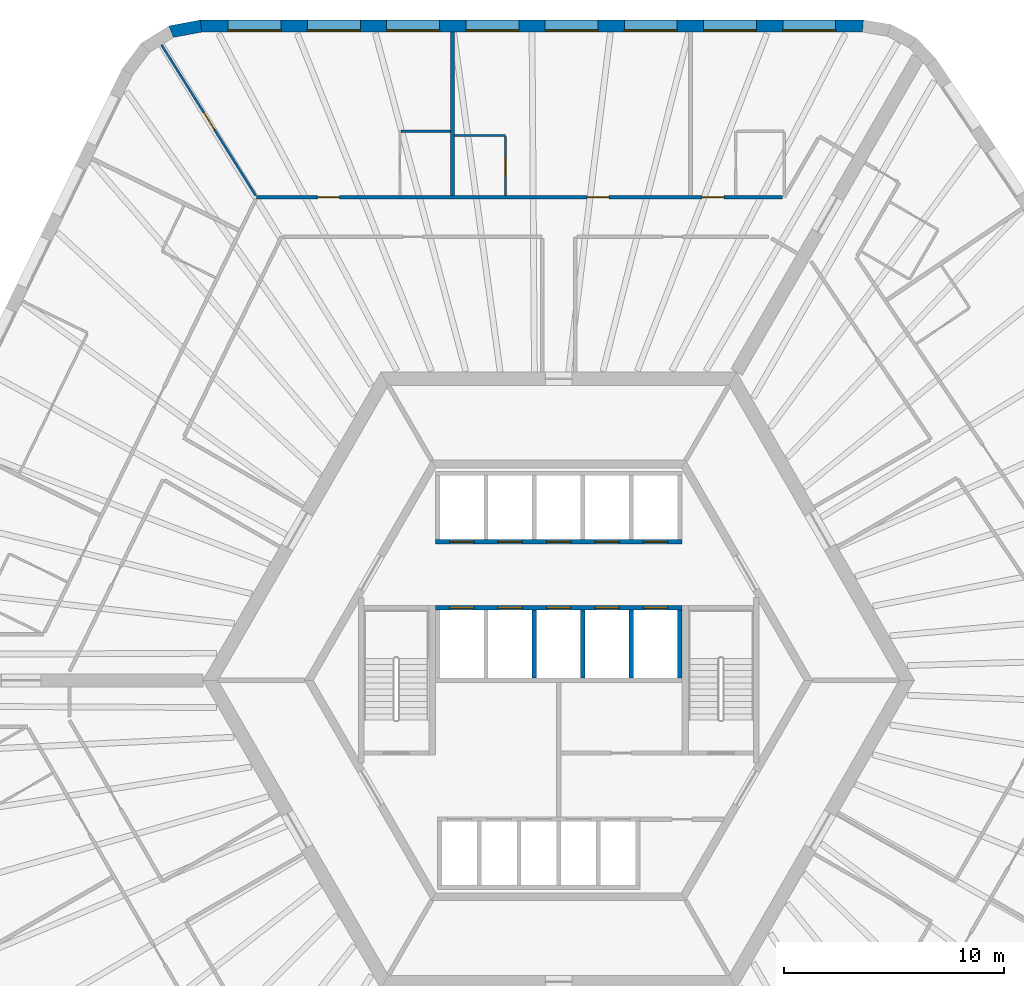
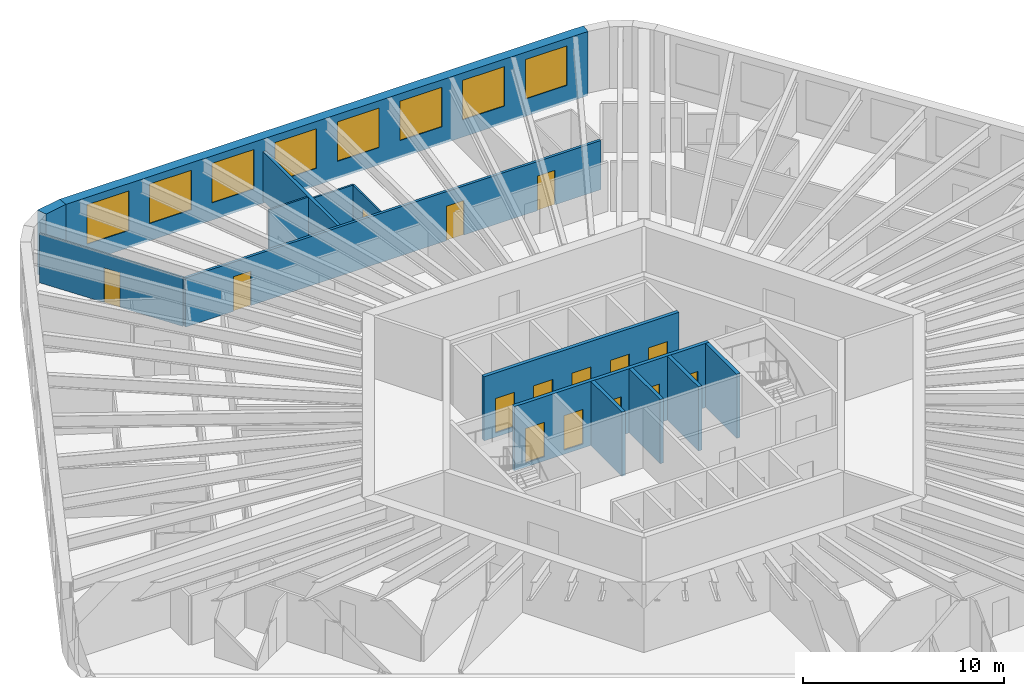
# One storey, part 8 of 11: 15 doors, 14 walls, 8 windows, 23 openings.
"""IFC4 building model written with IfcOpenShell, lengths in metres."""

from ifc_helpers import new_model, si_unit, direction, frame, frame_2d, origin, place, context, subcontext, project, spatial, polyline, rectangle, outline, extrude, material, layer, layer_set, type_object, element, fill, save


model = new_model("IFC4")

# Units and contexts
model_context = context("Model", 3, precision=1e-05, world=origin(), true_north=direction((0.0, 1.0)))
body_context = subcontext(model_context, "Body", "Model", "MODEL_VIEW")
ifc_project = project(units=[si_unit("LENGTHUNIT", "METRE"), si_unit("AREAUNIT", "SQUARE_METRE"), si_unit("VOLUMEUNIT", "CUBIC_METRE"), si_unit("PLANEANGLEUNIT", "RADIAN"), si_unit("MASSUNIT", "GRAM", prefix="KILO")], contexts=[model_context])

# Site, building, storey
site_placement = place(None, origin())
site = spatial("IfcSite", under=ifc_project, at=site_placement, CompositionType="ELEMENT")
building_placement = place(site_placement, origin())
building = spatial("IfcBuilding", under=site, at=building_placement, Name="Tarnside Tower", CompositionType="ELEMENT")
storey_placement = place(building_placement, frame((0.0, 0.0, 41.39990234375)))
storey = spatial("IfcBuildingStorey", under=building, at=storey_placement, Name="L07", CompositionType="ELEMENT", Elevation=41.39990234375)

# Wall
ifc_material_1 = material(Name="Gypsum board partition on steel studs", Category="steel")
ifc_layer_1 = layer(ifc_material_1, 0.10009765625)
ifc_layer_set_1 = layer_set([ifc_layer_1], Name="Bathroom wall 100")
wall_type_1 = type_object("IfcWallType", Name="Bathroom wall 100", PredefinedType="PARTITIONING", material=ifc_layer_set_1)
wall_1_placement = place(storey_placement, frame((-4.720947265625, 24.75, 0.0), z_axis=(0.0, 0.0, 1.0), x_axis=(1.0, 0.0, 0.0)))
element("IfcWall", 1, at=wall_1_placement, inside=storey, type_object=wall_type_1, Name="Bathroom wall 01081", PredefinedType="PARTITIONING", context=body_context, shape_type="SweptSolid", body=[
    extrude(rectangle(XDim=2.309814453125, YDim=0.10009765625, at=frame_2d((1.15478515625, 0.0))), origin(), (0.0, 0.0, 1.0), 2.98779296875),
])

# Wall, opening, door
wall_2_placement = place(storey_placement, frame((-2.4111328125, 24.699951171875, 0.0), z_axis=(0.0, 0.0, 1.0), x_axis=(0.0, -1.0, 0.0)))
wall_2 = element("IfcWall", 2, at=wall_2_placement, inside=storey, type_object=wall_type_1, Name="Bathroom wall 01082", PredefinedType="PARTITIONING", context=body_context, shape_type="SweptSolid", body=[
    extrude(rectangle(XDim=2.675048828125, YDim=0.10009765625, at=frame_2d((1.33740234375, 0.0))), origin(), (0.0, 0.0, 1.0), 2.98779296875),
])
opening_1_placement = place(wall_2_placement, frame((0.949951171875, 0.0, 0.0)))
opening_1 = element("IfcOpeningElement", 3, at=opening_1_placement, cuts=wall_2, Name="Opening D-B1", PredefinedType="OPENING", context=body_context, shape_type="SweptSolid", body=[
    extrude(rectangle(XDim=0.800048828125, YDim=2.10009765625, at=frame_2d((0.39990234375, 1.050048828125))), frame((0.0, 0.06005859375, 0.0), z_axis=(0.0, -1.0, 0.0), x_axis=(1.0, 0.0, 0.0)), (0.0, 0.0, 1.0), 0.1201171875),
])
ifc_material_2 = material(Name="Timber door leaf", Category="wood")
door_type_1 = type_object("IfcDoorType", Name="Bathroom door 800", OperationType="NOTDEFINED", PredefinedType="DOOR", material=ifc_material_2)
door_1_placement = place(opening_1_placement, origin())
door_1 = element("IfcDoor", 4, at=door_1_placement, inside=storey, type_object=door_type_1, Name="Bathroom door 01004", OperationType="SINGLE_SWING_RIGHT", OverallHeight=2.10009765625, OverallWidth=0.800048828125, PredefinedType="DOOR", context=body_context, shape_type="SweptSolid", body=[
    extrude(rectangle(XDim=0.800048828125, YDim=2.10009765625, at=frame_2d((0.39990234375, 1.050048828125))), frame((0.0, 0.02490234375, 0.0), z_axis=(0.0, -1.0, 0.0), x_axis=(1.0, 0.0, 0.0)), (0.0, 0.0, 1.0), 0.050048828125),
])
fill(opening_1, door_1)

# Wall
wall_3_placement = place(storey_placement, frame((-7.1611328125, 24.949951171875, 0.0), z_axis=(0.0, 0.0, 1.0), x_axis=(1.0, 0.0, 0.0)))
element("IfcWall", 5, at=wall_3_placement, inside=storey, type_object=wall_type_1, Name="Bathroom wall 01087", PredefinedType="PARTITIONING", context=body_context, shape_type="SweptSolid", body=[
    extrude(rectangle(XDim=2.260009765625, YDim=0.10009765625, at=frame_2d((1.1298828125, 0.0))), origin(), (0.0, 0.0, 1.0), 2.98779296875),
])

# Wall, openings, doors
ifc_layer_2 = layer(ifc_material_1, 0.14990234375)
ifc_layer_set_2 = layer_set([ifc_layer_2], Name="Corridor wall 150 EI 60")
wall_type_2 = type_object("IfcWallType", Name="Corridor wall 150 EI 60", PredefinedType="PARTITIONING", material=ifc_layer_set_2)
wall_4_placement = place(storey_placement, frame((10.161376953125, 21.949951171875, 0.0), z_axis=(0.0, 0.0, 1.0), x_axis=(-1.0, 0.0, 0.0)))
wall_4 = element("IfcWall", 6, at=wall_4_placement, inside=storey, type_object=wall_type_2, Name="Corridor wall 01001", PredefinedType="PARTITIONING", context=body_context, shape_type="SweptSolid", body=[
    extrude(rectangle(XDim=23.877197265625, YDim=0.14990234375, at=frame_2d((11.9384765625, 0.0))), origin(), (0.0, 0.0, 1.0), 2.98779296875),
])
opening_2_placement = place(wall_4_placement, frame((2.642822265625, 0.0, 0.0)))
opening_2 = element("IfcOpeningElement", 7, at=opening_2_placement, cuts=wall_4, Name="Opening D-E1", PredefinedType="OPENING", context=body_context, shape_type="SweptSolid", body=[
    extrude(rectangle(XDim=1.0, YDim=2.10009765625, at=frame_2d((0.5, 1.050048828125))), frame((0.0, 0.0849609375, 0.0), z_axis=(0.0, -1.0, 0.0), x_axis=(1.0, 0.0, 0.0)), (0.0, 0.0, 1.0), 0.169921875),
])
opening_3_placement = place(wall_4_placement, frame((7.872314453125, 0.0, 0.0)))
opening_3 = element("IfcOpeningElement", 8, at=opening_3_placement, cuts=wall_4, Name="Opening D-E1", PredefinedType="OPENING", context=body_context, shape_type="SweptSolid", body=[
    extrude(rectangle(XDim=1.0, YDim=2.10009765625, at=frame_2d((0.5, 1.050048828125))), frame((0.0, 0.0849609375, 0.0), z_axis=(0.0, -1.0, 0.0), x_axis=(1.0, 0.0, 0.0)), (0.0, 0.0, 1.0), 0.169921875),
])
opening_4_placement = place(wall_4_placement, frame((20.124755859375, 0.0, 0.0)))
opening_4 = element("IfcOpeningElement", 9, at=opening_4_placement, cuts=wall_4, Name="Opening D-E1", PredefinedType="OPENING", context=body_context, shape_type="SweptSolid", body=[
    extrude(rectangle(XDim=1.0, YDim=2.10009765625, at=frame_2d((0.5, 1.050048828125))), frame((0.0, 0.0849609375, 0.0), z_axis=(0.0, -1.0, 0.0), x_axis=(1.0, 0.0, 0.0)), (0.0, 0.0, 1.0), 0.169921875),
])
door_type_2 = type_object("IfcDoorType", Name="Unit entrance door 1000 FD30S", OperationType="NOTDEFINED", PredefinedType="DOOR", material=ifc_material_2)
door_2_placement = place(opening_2_placement, origin())
door_2 = element("IfcDoor", 10, at=door_2_placement, inside=storey, type_object=door_type_2, Name="Unit door 01001", OperationType="SINGLE_SWING_RIGHT", OverallHeight=2.10009765625, OverallWidth=1.0, PredefinedType="DOOR", context=body_context, shape_type="SweptSolid", body=[
    extrude(rectangle(XDim=1.0, YDim=2.10009765625, at=frame_2d((0.5, 1.050048828125))), frame((0.0, 0.02490234375, 0.0), z_axis=(0.0, -1.0, 0.0), x_axis=(1.0, 0.0, 0.0)), (0.0, 0.0, 1.0), 0.050048828125),
])
fill(opening_2, door_2)
door_3_placement = place(opening_3_placement, origin())
door_3 = element("IfcDoor", 11, at=door_3_placement, inside=storey, type_object=door_type_2, Name="Unit door 01003", OperationType="SINGLE_SWING_LEFT", OverallHeight=2.10009765625, OverallWidth=1.0, PredefinedType="DOOR", context=body_context, shape_type="SweptSolid", body=[
    extrude(rectangle(XDim=1.0, YDim=2.10009765625, at=frame_2d((0.5, 1.050048828125))), frame((0.0, 0.02490234375, 0.0), z_axis=(0.0, -1.0, 0.0), x_axis=(1.0, 0.0, 0.0)), (0.0, 0.0, 1.0), 0.050048828125),
])
fill(opening_3, door_3)
door_4_placement = place(opening_4_placement, origin())
door_4 = element("IfcDoor", 12, at=door_4_placement, inside=storey, type_object=door_type_2, Name="Unit door 01005", OperationType="SINGLE_SWING_RIGHT", OverallHeight=2.10009765625, OverallWidth=1.0, PredefinedType="DOOR", context=body_context, shape_type="SweptSolid", body=[
    extrude(rectangle(XDim=1.0, YDim=2.10009765625, at=frame_2d((0.5, 1.050048828125))), frame((0.0, 0.02490234375, 0.0), z_axis=(0.0, -1.0, 0.0), x_axis=(1.0, 0.0, 0.0)), (0.0, 0.0, 1.0), 0.050048828125),
])
fill(opening_4, door_4)

# Wall
ifc_layer_3 = layer(ifc_material_1, 0.179931640625)
ifc_layer_set_3 = layer_set([ifc_layer_3], Name="Demising wall 180 EI 60")
wall_type_3 = type_object("IfcWallType", Name="Demising wall 180 EI 60", PredefinedType="PARTITIONING", material=ifc_layer_set_3)
wall_5_placement = place(storey_placement, frame((-4.81103515625, 29.449951171875, 0.0), z_axis=(0.0, 0.0, 1.0), x_axis=(0.0, -1.0, 0.0)))
element("IfcWall", 13, at=wall_5_placement, inside=storey, type_object=wall_type_3, Name="Demising wall 01083", PredefinedType="PARTITIONING", context=body_context, shape_type="SweptSolid", body=[
    extrude(rectangle(XDim=7.425048828125, YDim=0.179931640625, at=frame_2d((3.71240234375, 0.0))), origin(), (0.0, 0.0, 1.0), 2.98779296875),
])

# Wall, openings, doors
ifc_material_3 = material(Name="Concrete C40/50", Category="concrete")
ifc_layer_4 = layer(ifc_material_3, 0.199951171875)
ifc_layer_set_4 = layer_set([ifc_layer_4], Name="Lift shaft wall 200 C40/50")
wall_type_4 = type_object("IfcWallType", Name="Lift shaft wall 200 C40/50", PredefinedType="SHEAR", material=ifc_layer_set_4)
wall_6_placement = place(storey_placement, frame((-5.60009765625, 6.300048828125, -0.25), z_axis=(0.0, 0.0, 1.0), x_axis=(1.0, 0.0, 0.0)))
wall_6 = element("IfcWall", 14, at=wall_6_placement, inside=storey, type_object=wall_type_4, Name="L07 lift shaft front wall R1", PredefinedType="SHEAR", context=body_context, shape_type="SweptSolid", body=[
    extrude(rectangle(XDim=11.2001953125, YDim=0.199951171875, at=frame_2d((5.60009765625, 0.0))), origin(), (0.0, 0.0, 1.0), 3.900146484375),
])
opening_5_placement = place(wall_6_placement, frame((0.64990234375, 0.0, 0.25)))
opening_5 = element("IfcOpeningElement", 15, at=opening_5_placement, cuts=wall_6, Name="Opening LD", PredefinedType="OPENING", context=body_context, shape_type="SweptSolid", body=[
    extrude(rectangle(XDim=1.10009765625, YDim=2.10009765625, at=frame_2d((0.550048828125, 1.050048828125))), frame((0.0, 0.10986328125, 0.0), z_axis=(0.0, -1.0, 0.0), x_axis=(1.0, 0.0, 0.0)), (0.0, 0.0, 1.0), 0.219970703125),
])
opening_6_placement = place(wall_6_placement, frame((2.85009765625, 0.0, 0.25)))
opening_6 = element("IfcOpeningElement", 16, at=opening_6_placement, cuts=wall_6, Name="Opening LD", PredefinedType="OPENING", context=body_context, shape_type="SweptSolid", body=[
    extrude(rectangle(XDim=1.10009765625, YDim=2.10009765625, at=frame_2d((0.550048828125, 1.050048828125))), frame((0.0, 0.10986328125, 0.0), z_axis=(0.0, -1.0, 0.0), x_axis=(1.0, 0.0, 0.0)), (0.0, 0.0, 1.0), 0.219970703125),
])
opening_7_placement = place(wall_6_placement, frame((5.050048828125, 0.0, 0.25)))
opening_7 = element("IfcOpeningElement", 17, at=opening_7_placement, cuts=wall_6, Name="Opening LD", PredefinedType="OPENING", context=body_context, shape_type="SweptSolid", body=[
    extrude(rectangle(XDim=1.10009765625, YDim=2.10009765625, at=frame_2d((0.550048828125, 1.050048828125))), frame((0.0, 0.10986328125, 0.0), z_axis=(0.0, -1.0, 0.0), x_axis=(1.0, 0.0, 0.0)), (0.0, 0.0, 1.0), 0.219970703125),
])
opening_8_placement = place(wall_6_placement, frame((7.25, 0.0, 0.25)))
opening_8 = element("IfcOpeningElement", 18, at=opening_8_placement, cuts=wall_6, Name="Opening LD", PredefinedType="OPENING", context=body_context, shape_type="SweptSolid", body=[
    extrude(rectangle(XDim=1.10009765625, YDim=2.10009765625, at=frame_2d((0.550048828125, 1.050048828125))), frame((0.0, 0.10986328125, 0.0), z_axis=(0.0, -1.0, 0.0), x_axis=(1.0, 0.0, 0.0)), (0.0, 0.0, 1.0), 0.219970703125),
])
opening_9_placement = place(wall_6_placement, frame((9.449951171875, 0.0, 0.25)))
opening_9 = element("IfcOpeningElement", 19, at=opening_9_placement, cuts=wall_6, Name="Opening LD", PredefinedType="OPENING", context=body_context, shape_type="SweptSolid", body=[
    extrude(rectangle(XDim=1.10009765625, YDim=2.10009765625, at=frame_2d((0.550048828125, 1.050048828125))), frame((0.0, 0.10986328125, 0.0), z_axis=(0.0, -1.0, 0.0), x_axis=(1.0, 0.0, 0.0)), (0.0, 0.0, 1.0), 0.219970703125),
])
ifc_material_4 = material(Name="Stainless steel", Category="steel")
door_type_3 = type_object("IfcDoorType", Name="Lift landing door 1100x2100", OperationType="NOTDEFINED", PredefinedType="DOOR", material=ifc_material_4)
door_5_placement = place(opening_5_placement, origin())
door_5 = element("IfcDoor", 20, at=door_5_placement, inside=storey, type_object=door_type_3, Name="Low-rise lift 1 landing door L07", OperationType="SLIDING_TO_LEFT", OverallHeight=2.10009765625, OverallWidth=1.10009765625, PredefinedType="DOOR", context=body_context, shape_type="SweptSolid", body=[
    extrude(rectangle(XDim=1.10009765625, YDim=2.10009765625, at=frame_2d((0.550048828125, 1.050048828125))), frame((0.0, 0.02490234375, 0.0), z_axis=(0.0, -1.0, 0.0), x_axis=(1.0, 0.0, 0.0)), (0.0, 0.0, 1.0), 0.050048828125),
])
fill(opening_5, door_5)
door_6_placement = place(opening_6_placement, origin())
door_6 = element("IfcDoor", 21, at=door_6_placement, inside=storey, type_object=door_type_3, Name="Low-rise lift 2 landing door L07", OperationType="SLIDING_TO_LEFT", OverallHeight=2.10009765625, OverallWidth=1.10009765625, PredefinedType="DOOR", context=body_context, shape_type="SweptSolid", body=[
    extrude(rectangle(XDim=1.10009765625, YDim=2.10009765625, at=frame_2d((0.550048828125, 1.050048828125))), frame((0.0, 0.02490234375, 0.0), z_axis=(0.0, -1.0, 0.0), x_axis=(1.0, 0.0, 0.0)), (0.0, 0.0, 1.0), 0.050048828125),
])
fill(opening_6, door_6)
door_7_placement = place(opening_7_placement, origin())
door_7 = element("IfcDoor", 22, at=door_7_placement, inside=storey, type_object=door_type_3, Name="Low-rise lift 3 landing door L07", OperationType="SLIDING_TO_LEFT", OverallHeight=2.10009765625, OverallWidth=1.10009765625, PredefinedType="DOOR", context=body_context, shape_type="SweptSolid", body=[
    extrude(rectangle(XDim=1.10009765625, YDim=2.10009765625, at=frame_2d((0.550048828125, 1.050048828125))), frame((0.0, 0.02490234375, 0.0), z_axis=(0.0, -1.0, 0.0), x_axis=(1.0, 0.0, 0.0)), (0.0, 0.0, 1.0), 0.050048828125),
])
fill(opening_7, door_7)
door_8_placement = place(opening_8_placement, origin())
door_8 = element("IfcDoor", 23, at=door_8_placement, inside=storey, type_object=door_type_3, Name="Low sky-lobby shuttle 1 landing door L07", OperationType="SLIDING_TO_LEFT", OverallHeight=2.10009765625, OverallWidth=1.10009765625, PredefinedType="DOOR", context=body_context, shape_type="SweptSolid", body=[
    extrude(rectangle(XDim=1.10009765625, YDim=2.10009765625, at=frame_2d((0.550048828125, 1.050048828125))), frame((0.0, 0.02490234375, 0.0), z_axis=(0.0, -1.0, 0.0), x_axis=(1.0, 0.0, 0.0)), (0.0, 0.0, 1.0), 0.050048828125),
])
fill(opening_8, door_8)
door_9_placement = place(opening_9_placement, origin())
door_9 = element("IfcDoor", 24, at=door_9_placement, inside=storey, type_object=door_type_3, Name="Low sky-lobby shuttle 2 landing door L07", OperationType="SLIDING_TO_LEFT", OverallHeight=2.10009765625, OverallWidth=1.10009765625, PredefinedType="DOOR", context=body_context, shape_type="SweptSolid", body=[
    extrude(rectangle(XDim=1.10009765625, YDim=2.10009765625, at=frame_2d((0.550048828125, 1.050048828125))), frame((0.0, 0.02490234375, 0.0), z_axis=(0.0, -1.0, 0.0), x_axis=(1.0, 0.0, 0.0)), (0.0, 0.0, 1.0), 0.050048828125),
])
fill(opening_9, door_9)

wall_7_placement = place(storey_placement, frame((-5.60009765625, 3.300048828125, -0.25), z_axis=(0.0, 0.0, 1.0), x_axis=(1.0, 0.0, 0.0)))
wall_7 = element("IfcWall", 25, at=wall_7_placement, inside=storey, type_object=wall_type_4, Name="L07 lift shaft front wall R2", PredefinedType="SHEAR", context=body_context, shape_type="SweptSolid", body=[
    extrude(rectangle(XDim=11.2001953125, YDim=0.199951171875, at=frame_2d((5.60009765625, 0.0))), origin(), (0.0, 0.0, 1.0), 3.900146484375),
])
opening_10_placement = place(wall_7_placement, frame((0.64990234375, 0.0, 0.25)))
opening_10 = element("IfcOpeningElement", 26, at=opening_10_placement, cuts=wall_7, Name="Opening LD", PredefinedType="OPENING", context=body_context, shape_type="SweptSolid", body=[
    extrude(rectangle(XDim=1.10009765625, YDim=2.10009765625, at=frame_2d((0.550048828125, 1.050048828125))), frame((0.0, 0.10986328125, 0.0), z_axis=(0.0, -1.0, 0.0), x_axis=(1.0, 0.0, 0.0)), (0.0, 0.0, 1.0), 0.219970703125),
])
opening_11_placement = place(wall_7_placement, frame((2.85009765625, 0.0, 0.25)))
opening_11 = element("IfcOpeningElement", 27, at=opening_11_placement, cuts=wall_7, Name="Opening LD", PredefinedType="OPENING", context=body_context, shape_type="SweptSolid", body=[
    extrude(rectangle(XDim=1.10009765625, YDim=2.10009765625, at=frame_2d((0.550048828125, 1.050048828125))), frame((0.0, 0.10986328125, 0.0), z_axis=(0.0, -1.0, 0.0), x_axis=(1.0, 0.0, 0.0)), (0.0, 0.0, 1.0), 0.219970703125),
])
opening_12_placement = place(wall_7_placement, frame((5.050048828125, 0.0, 0.25)))
opening_12 = element("IfcOpeningElement", 28, at=opening_12_placement, cuts=wall_7, Name="Opening LD", PredefinedType="OPENING", context=body_context, shape_type="SweptSolid", body=[
    extrude(rectangle(XDim=1.10009765625, YDim=2.10009765625, at=frame_2d((0.550048828125, 1.050048828125))), frame((0.0, 0.10986328125, 0.0), z_axis=(0.0, -1.0, 0.0), x_axis=(1.0, 0.0, 0.0)), (0.0, 0.0, 1.0), 0.219970703125),
])
opening_13_placement = place(wall_7_placement, frame((7.25, 0.0, 0.25)))
opening_13 = element("IfcOpeningElement", 29, at=opening_13_placement, cuts=wall_7, Name="Opening LD", PredefinedType="OPENING", context=body_context, shape_type="SweptSolid", body=[
    extrude(rectangle(XDim=1.10009765625, YDim=2.10009765625, at=frame_2d((0.550048828125, 1.050048828125))), frame((0.0, 0.10986328125, 0.0), z_axis=(0.0, -1.0, 0.0), x_axis=(1.0, 0.0, 0.0)), (0.0, 0.0, 1.0), 0.219970703125),
])
opening_14_placement = place(wall_7_placement, frame((9.449951171875, 0.0, 0.25)))
opening_14 = element("IfcOpeningElement", 30, at=opening_14_placement, cuts=wall_7, Name="Opening LD", PredefinedType="OPENING", context=body_context, shape_type="SweptSolid", body=[
    extrude(rectangle(XDim=1.10009765625, YDim=2.10009765625, at=frame_2d((0.550048828125, 1.050048828125))), frame((0.0, 0.10986328125, 0.0), z_axis=(0.0, -1.0, 0.0), x_axis=(1.0, 0.0, 0.0)), (0.0, 0.0, 1.0), 0.219970703125),
])
door_10_placement = place(opening_10_placement, origin())
door_10 = element("IfcDoor", 31, at=door_10_placement, inside=storey, type_object=door_type_3, Name="Low-rise lift 4 landing door L07", OperationType="SLIDING_TO_LEFT", OverallHeight=2.10009765625, OverallWidth=1.10009765625, PredefinedType="DOOR", context=body_context, shape_type="SweptSolid", body=[
    extrude(rectangle(XDim=1.10009765625, YDim=2.10009765625, at=frame_2d((0.550048828125, 1.050048828125))), frame((0.0, 0.02490234375, 0.0), z_axis=(0.0, -1.0, 0.0), x_axis=(1.0, 0.0, 0.0)), (0.0, 0.0, 1.0), 0.050048828125),
])
fill(opening_10, door_10)
door_11_placement = place(opening_11_placement, origin())
door_11 = element("IfcDoor", 32, at=door_11_placement, inside=storey, type_object=door_type_3, Name="Low-rise lift 5 landing door L07", OperationType="SLIDING_TO_LEFT", OverallHeight=2.10009765625, OverallWidth=1.10009765625, PredefinedType="DOOR", context=body_context, shape_type="SweptSolid", body=[
    extrude(rectangle(XDim=1.10009765625, YDim=2.10009765625, at=frame_2d((0.550048828125, 1.050048828125))), frame((0.0, 0.02490234375, 0.0), z_axis=(0.0, -1.0, 0.0), x_axis=(1.0, 0.0, 0.0)), (0.0, 0.0, 1.0), 0.050048828125),
])
fill(opening_11, door_11)
door_12_placement = place(opening_12_placement, origin())
door_12 = element("IfcDoor", 33, at=door_12_placement, inside=storey, type_object=door_type_3, Name="Low-rise lift 6 landing door L07", OperationType="SLIDING_TO_LEFT", OverallHeight=2.10009765625, OverallWidth=1.10009765625, PredefinedType="DOOR", context=body_context, shape_type="SweptSolid", body=[
    extrude(rectangle(XDim=1.10009765625, YDim=2.10009765625, at=frame_2d((0.550048828125, 1.050048828125))), frame((0.0, 0.02490234375, 0.0), z_axis=(0.0, -1.0, 0.0), x_axis=(1.0, 0.0, 0.0)), (0.0, 0.0, 1.0), 0.050048828125),
])
fill(opening_12, door_12)
door_13_placement = place(opening_13_placement, origin())
door_13 = element("IfcDoor", 34, at=door_13_placement, inside=storey, type_object=door_type_3, Name="High sky-lobby shuttle 1 landing door L07", OperationType="SLIDING_TO_LEFT", OverallHeight=2.10009765625, OverallWidth=1.10009765625, PredefinedType="DOOR", context=body_context, shape_type="SweptSolid", body=[
    extrude(rectangle(XDim=1.10009765625, YDim=2.10009765625, at=frame_2d((0.550048828125, 1.050048828125))), frame((0.0, 0.02490234375, 0.0), z_axis=(0.0, -1.0, 0.0), x_axis=(1.0, 0.0, 0.0)), (0.0, 0.0, 1.0), 0.050048828125),
])
fill(opening_13, door_13)
door_14_placement = place(opening_14_placement, origin())
door_14 = element("IfcDoor", 35, at=door_14_placement, inside=storey, type_object=door_type_3, Name="Express sky-lobby shuttle 2 landing door L07", OperationType="SLIDING_TO_LEFT", OverallHeight=2.10009765625, OverallWidth=1.10009765625, PredefinedType="DOOR", context=body_context, shape_type="SweptSolid", body=[
    extrude(rectangle(XDim=1.10009765625, YDim=2.10009765625, at=frame_2d((0.550048828125, 1.050048828125))), frame((0.0, 0.02490234375, 0.0), z_axis=(0.0, -1.0, 0.0), x_axis=(1.0, 0.0, 0.0)), (0.0, 0.0, 1.0), 0.050048828125),
])
fill(opening_14, door_14)

# Walls
for number, where, z_axis, x_axis, name in (
    (36, (-1.10009765625, 0.10009765625, -0.25), (0.0, 0.0, 1.0), (0.0, 1.0, 0.0), "L07 lift shaft partition R23"),
    (37, (1.10009765625, 0.10009765625, -0.25), (0.0, 0.0, 1.0), (0.0, 1.0, 0.0), "L07 lift shaft partition R24"),
    (38, (3.300048828125, 0.10009765625, -0.25), (0.0, 0.0, 1.0), (0.0, 1.0, 0.0), "L07 lift shaft partition R25"),
    (39, (5.5, 0.10009765625, -0.25), (0.0, 0.0, 1.0), (0.0, 1.0, 0.0), "L07 lift shaft partition R26"),
):
    element("IfcWall", number, at=place(storey_placement, frame(where, z_axis=z_axis, x_axis=x_axis)), inside=storey, type_object=wall_type_4, Name=name, PredefinedType="SHEAR", context=body_context, shape_type="SweptSolid", body=[
        extrude(rectangle(XDim=3.099853515625, YDim=0.199951171875, at=frame_2d((1.5498046875, 0.0))), origin(), (0.0, 0.0, 1.0), 3.900146484375),
    ])

# Wall, opening, door
ifc_layer_5 = layer(ifc_material_1, 0.10009765625)
ifc_layer_set_5 = layer_set([ifc_layer_5], Name="Partition 100")
wall_type_5 = type_object("IfcWallType", Name="Partition 100", PredefinedType="PARTITIONING", material=ifc_layer_set_5)
wall_8_placement = place(storey_placement, frame((-18.040771484375, 28.87109375, 0.0), z_axis=(0.0, 0.0, 1.0), x_axis=(0.529928260537, -0.848042474575, 0.0)))
wall_8 = element("IfcWall", 40, at=wall_8_placement, inside=storey, type_object=wall_type_5, Name="Partition wall 01088", PredefinedType="PARTITIONING", context=body_context, shape_type="SweptSolid", body=[
    extrude(rectangle(XDim=8.072998046875, YDim=0.10009765625, at=frame_2d((4.03662109375, 0.0))), origin(), (0.0, 0.0, 1.0), 2.98779296875),
])
opening_15_placement = place(wall_8_placement, frame((3.630615234375, 0.0, 0.0)))
opening_15 = element("IfcOpeningElement", 41, at=opening_15_placement, cuts=wall_8, Name="Opening D-I1", PredefinedType="OPENING", context=body_context, shape_type="SweptSolid", body=[
    extrude(rectangle(XDim=0.89990234375, YDim=2.10009765625, at=frame_2d((0.449951171875, 1.050048828125))), frame((0.0, 0.06005859375, 0.0), z_axis=(0.0, -1.0, 0.0), x_axis=(1.0, 0.0, 0.0)), (0.0, 0.0, 1.0), 0.1201171875),
])
door_type_4 = type_object("IfcDoorType", Name="Internal door 900", OperationType="NOTDEFINED", PredefinedType="DOOR", material=ifc_material_2)
door_15_placement = place(opening_15_placement, origin())
door_15 = element("IfcDoor", 42, at=door_15_placement, inside=storey, type_object=door_type_4, Name="Internal door 01007", OperationType="SINGLE_SWING_LEFT", OverallHeight=2.10009765625, OverallWidth=0.89990234375, PredefinedType="DOOR", context=body_context, shape_type="SweptSolid", body=[
    extrude(rectangle(XDim=0.89990234375, YDim=2.10009765625, at=frame_2d((0.449951171875, 1.050048828125))), frame((0.0, 0.02490234375, 0.0), z_axis=(0.0, -1.0, 0.0), x_axis=(1.0, 0.0, 0.0)), (0.0, 0.0, 1.0), 0.050048828125),
])
fill(opening_15, door_15)

# Wall, openings, windows
ifc_material_5 = material(Name="Facing brick", Category="masonry")
ifc_layer_6 = layer(ifc_material_5, 0.10205078125)
ifc_material_6 = material(Name="Concrete C60/75 precast", Category="concrete")
ifc_layer_7 = layer(ifc_material_6, 0.347900390625)
ifc_material_7 = material(Name="Mineral wool insulation")
ifc_layer_8 = layer(ifc_material_7, 0.10009765625)
ifc_layer_set_6 = layer_set([ifc_layer_6, ifc_layer_7, ifc_layer_8], Name="Tube wall 550 brick faced")
wall_type_6 = type_object("IfcWallType", Name="Tube wall 550 brick faced", PredefinedType="SOLIDWALL", material=ifc_layer_set_6)
wall_9_placement = place(storey_placement, frame((13.824462890625, 29.72509765625, -0.14990234375), z_axis=(0.0, 0.0, 1.0), x_axis=(-1.0, 0.0, 0.0)))
wall_9 = element("IfcWall", 43, at=wall_9_placement, inside=storey, type_object=wall_type_6, Name="Tube wall L07 F1 flush 00", PredefinedType="SOLIDWALL", context=body_context, shape_type="SweptSolid", body=[
    extrude(outline(polyline([(-0.0224609375, -0.27490234375), (30.0966796875, -0.27490234375), (30.04541015625, 0.27490234375), (0.0224609375, 0.27490234375), (-0.0224609375, -0.27490234375)])), origin(), (0.0, 0.0, 1.0), 3.89990234375),
])
opening_16_placement = place(wall_9_placement, frame((1.235595703125, 0.0, 1.050048828125)))
opening_16 = element("IfcOpeningElement", 44, at=opening_16_placement, cuts=wall_9, Name="Opening WH", PredefinedType="OPENING", context=body_context, shape_type="SweptSolid", body=[
    extrude(rectangle(XDim=2.39990234375, YDim=2.39990234375, at=frame_2d((1.199951171875, 1.199951171875))), frame((0.0, 0.28515625, 0.0), z_axis=(0.0, -1.0, 0.0), x_axis=(1.0, 0.0, 0.0)), (0.0, 0.0, 1.0), 0.570068359375),
])
opening_17_placement = place(wall_9_placement, frame((4.83544921875, 0.0, 1.050048828125)))
opening_17 = element("IfcOpeningElement", 45, at=opening_17_placement, cuts=wall_9, Name="Opening WH", PredefinedType="OPENING", context=body_context, shape_type="SweptSolid", body=[
    extrude(rectangle(XDim=2.39990234375, YDim=2.39990234375, at=frame_2d((1.199951171875, 1.199951171875))), frame((0.0, 0.28515625, 0.0), z_axis=(0.0, -1.0, 0.0), x_axis=(1.0, 0.0, 0.0)), (0.0, 0.0, 1.0), 0.570068359375),
])
opening_18_placement = place(wall_9_placement, frame((8.435546875, 0.0, 1.050048828125)))
opening_18 = element("IfcOpeningElement", 46, at=opening_18_placement, cuts=wall_9, Name="Opening WH", PredefinedType="OPENING", context=body_context, shape_type="SweptSolid", body=[
    extrude(rectangle(XDim=2.39990234375, YDim=2.39990234375, at=frame_2d((1.199951171875, 1.199951171875))), frame((0.0, 0.28515625, 0.0), z_axis=(0.0, -1.0, 0.0), x_axis=(1.0, 0.0, 0.0)), (0.0, 0.0, 1.0), 0.570068359375),
])
opening_19_placement = place(wall_9_placement, frame((12.035400390625, 0.0, 1.050048828125)))
opening_19 = element("IfcOpeningElement", 47, at=opening_19_placement, cuts=wall_9, Name="Opening WH", PredefinedType="OPENING", context=body_context, shape_type="SweptSolid", body=[
    extrude(rectangle(XDim=2.39990234375, YDim=2.39990234375, at=frame_2d((1.199951171875, 1.199951171875))), frame((0.0, 0.28515625, 0.0), z_axis=(0.0, -1.0, 0.0), x_axis=(1.0, 0.0, 0.0)), (0.0, 0.0, 1.0), 0.570068359375),
])
opening_20_placement = place(wall_9_placement, frame((15.635498046875, 0.0, 1.050048828125)))
opening_20 = element("IfcOpeningElement", 48, at=opening_20_placement, cuts=wall_9, Name="Opening WH", PredefinedType="OPENING", context=body_context, shape_type="SweptSolid", body=[
    extrude(rectangle(XDim=2.39990234375, YDim=2.39990234375, at=frame_2d((1.199951171875, 1.199951171875))), frame((0.0, 0.28515625, 0.0), z_axis=(0.0, -1.0, 0.0), x_axis=(1.0, 0.0, 0.0)), (0.0, 0.0, 1.0), 0.570068359375),
])
opening_21_placement = place(wall_9_placement, frame((19.235595703125, 0.0, 1.050048828125)))
opening_21 = element("IfcOpeningElement", 49, at=opening_21_placement, cuts=wall_9, Name="Opening WH", PredefinedType="OPENING", context=body_context, shape_type="SweptSolid", body=[
    extrude(rectangle(XDim=2.39990234375, YDim=2.39990234375, at=frame_2d((1.199951171875, 1.199951171875))), frame((0.0, 0.28515625, 0.0), z_axis=(0.0, -1.0, 0.0), x_axis=(1.0, 0.0, 0.0)), (0.0, 0.0, 1.0), 0.570068359375),
])
opening_22_placement = place(wall_9_placement, frame((22.83544921875, 0.0, 1.050048828125)))
opening_22 = element("IfcOpeningElement", 50, at=opening_22_placement, cuts=wall_9, Name="Opening WH", PredefinedType="OPENING", context=body_context, shape_type="SweptSolid", body=[
    extrude(rectangle(XDim=2.39990234375, YDim=2.39990234375, at=frame_2d((1.199951171875, 1.199951171875))), frame((0.0, 0.28515625, 0.0), z_axis=(0.0, -1.0, 0.0), x_axis=(1.0, 0.0, 0.0)), (0.0, 0.0, 1.0), 0.570068359375),
])
opening_23_placement = place(wall_9_placement, frame((26.435546875, 0.0, 1.050048828125)))
opening_23 = element("IfcOpeningElement", 51, at=opening_23_placement, cuts=wall_9, Name="Opening WH", PredefinedType="OPENING", context=body_context, shape_type="SweptSolid", body=[
    extrude(rectangle(XDim=2.39990234375, YDim=2.39990234375, at=frame_2d((1.199951171875, 1.199951171875))), frame((0.0, 0.28515625, 0.0), z_axis=(0.0, -1.0, 0.0), x_axis=(1.0, 0.0, 0.0)), (0.0, 0.0, 1.0), 0.570068359375),
])
ifc_material_8 = material(Name="Aluminium-framed double glazing", Category="aluminium")
window_type = type_object("IfcWindowType", Name="Hotel window 2400 x 2400", PartitioningType="DOUBLE_PANEL_VERTICAL", PredefinedType="WINDOW", material=ifc_material_8)
window_1_placement = place(opening_16_placement, frame((0.0, 0.205078125, 0.0)))
window_1 = element("IfcWindow", 52, at=window_1_placement, inside=storey, type_object=window_type, Name="E.WN.L07.F1.00", OverallHeight=2.39990234375, OverallWidth=2.39990234375, PartitioningType="DOUBLE_PANEL_VERTICAL", PredefinedType="WINDOW", context=body_context, shape_type="SweptSolid", body=[
    extrude(rectangle(XDim=2.39990234375, YDim=2.39990234375, at=frame_2d((1.199951171875, 1.199951171875))), frame((0.0, 0.030029296875, 0.0), z_axis=(0.0, -1.0, 0.0), x_axis=(1.0, 0.0, 0.0)), (0.0, 0.0, 1.0), 0.06005859375),
])
fill(opening_16, window_1)
window_2_placement = place(opening_17_placement, frame((0.0, 0.205078125, 0.0)))
window_2 = element("IfcWindow", 53, at=window_2_placement, inside=storey, type_object=window_type, Name="E.WN.L07.F1.01", OverallHeight=2.39990234375, OverallWidth=2.39990234375, PartitioningType="DOUBLE_PANEL_VERTICAL", PredefinedType="WINDOW", context=body_context, shape_type="SweptSolid", body=[
    extrude(rectangle(XDim=2.39990234375, YDim=2.39990234375, at=frame_2d((1.199951171875, 1.199951171875))), frame((0.0, 0.030029296875, 0.0), z_axis=(0.0, -1.0, 0.0), x_axis=(1.0, 0.0, 0.0)), (0.0, 0.0, 1.0), 0.06005859375),
])
fill(opening_17, window_2)
window_3_placement = place(opening_18_placement, frame((0.0, 0.205078125, 0.0)))
window_3 = element("IfcWindow", 54, at=window_3_placement, inside=storey, type_object=window_type, Name="E.WN.L07.F1.02", OverallHeight=2.39990234375, OverallWidth=2.39990234375, PartitioningType="DOUBLE_PANEL_VERTICAL", PredefinedType="WINDOW", context=body_context, shape_type="SweptSolid", body=[
    extrude(rectangle(XDim=2.39990234375, YDim=2.39990234375, at=frame_2d((1.199951171875, 1.199951171875))), frame((0.0, 0.030029296875, 0.0), z_axis=(0.0, -1.0, 0.0), x_axis=(1.0, 0.0, 0.0)), (0.0, 0.0, 1.0), 0.06005859375),
])
fill(opening_18, window_3)
window_4_placement = place(opening_19_placement, frame((0.0, 0.205078125, 0.0)))
window_4 = element("IfcWindow", 55, at=window_4_placement, inside=storey, type_object=window_type, Name="E.WN.L07.F1.03", OverallHeight=2.39990234375, OverallWidth=2.39990234375, PartitioningType="DOUBLE_PANEL_VERTICAL", PredefinedType="WINDOW", context=body_context, shape_type="SweptSolid", body=[
    extrude(rectangle(XDim=2.39990234375, YDim=2.39990234375, at=frame_2d((1.199951171875, 1.199951171875))), frame((0.0, 0.030029296875, 0.0), z_axis=(0.0, -1.0, 0.0), x_axis=(1.0, 0.0, 0.0)), (0.0, 0.0, 1.0), 0.06005859375),
])
fill(opening_19, window_4)
window_5_placement = place(opening_20_placement, frame((0.0, 0.205078125, 0.0)))
window_5 = element("IfcWindow", 56, at=window_5_placement, inside=storey, type_object=window_type, Name="E.WN.L07.F1.04", OverallHeight=2.39990234375, OverallWidth=2.39990234375, PartitioningType="DOUBLE_PANEL_VERTICAL", PredefinedType="WINDOW", context=body_context, shape_type="SweptSolid", body=[
    extrude(rectangle(XDim=2.39990234375, YDim=2.39990234375, at=frame_2d((1.199951171875, 1.199951171875))), frame((0.0, 0.030029296875, 0.0), z_axis=(0.0, -1.0, 0.0), x_axis=(1.0, 0.0, 0.0)), (0.0, 0.0, 1.0), 0.06005859375),
])
fill(opening_20, window_5)
window_6_placement = place(opening_21_placement, frame((0.0, 0.205078125, 0.0)))
window_6 = element("IfcWindow", 57, at=window_6_placement, inside=storey, type_object=window_type, Name="E.WN.L07.F1.05", OverallHeight=2.39990234375, OverallWidth=2.39990234375, PartitioningType="DOUBLE_PANEL_VERTICAL", PredefinedType="WINDOW", context=body_context, shape_type="SweptSolid", body=[
    extrude(rectangle(XDim=2.39990234375, YDim=2.39990234375, at=frame_2d((1.199951171875, 1.199951171875))), frame((0.0, 0.030029296875, 0.0), z_axis=(0.0, -1.0, 0.0), x_axis=(1.0, 0.0, 0.0)), (0.0, 0.0, 1.0), 0.06005859375),
])
fill(opening_21, window_6)
window_7_placement = place(opening_22_placement, frame((0.0, 0.205078125, 0.0)))
window_7 = element("IfcWindow", 58, at=window_7_placement, inside=storey, type_object=window_type, Name="E.WN.L07.F1.06", OverallHeight=2.39990234375, OverallWidth=2.39990234375, PartitioningType="DOUBLE_PANEL_VERTICAL", PredefinedType="WINDOW", context=body_context, shape_type="SweptSolid", body=[
    extrude(rectangle(XDim=2.39990234375, YDim=2.39990234375, at=frame_2d((1.199951171875, 1.199951171875))), frame((0.0, 0.030029296875, 0.0), z_axis=(0.0, -1.0, 0.0), x_axis=(1.0, 0.0, 0.0)), (0.0, 0.0, 1.0), 0.06005859375),
])
fill(opening_22, window_7)
window_8_placement = place(opening_23_placement, frame((0.0, 0.205078125, 0.0)))
window_8 = element("IfcWindow", 59, at=window_8_placement, inside=storey, type_object=window_type, Name="E.WN.L07.F1.07", OverallHeight=2.39990234375, OverallWidth=2.39990234375, PartitioningType="DOUBLE_PANEL_VERTICAL", PredefinedType="WINDOW", context=body_context, shape_type="SweptSolid", body=[
    extrude(rectangle(XDim=2.39990234375, YDim=2.39990234375, at=frame_2d((1.199951171875, 1.199951171875))), frame((0.0, 0.030029296875, 0.0), z_axis=(0.0, -1.0, 0.0), x_axis=(1.0, 0.0, 0.0)), (0.0, 0.0, 1.0), 0.06005859375),
])
fill(opening_23, window_8)

# Wall
wall_10_placement = place(storey_placement, frame((-16.24658203125, 29.72509765625, -0.14990234375), z_axis=(0.0, 0.0, 1.0), x_axis=(-0.982705443133, -0.185175624845, 0.0)))
element("IfcWall", 60, at=wall_10_placement, inside=storey, type_object=wall_type_6, Name="Tube wall L07 F1 chord 01", PredefinedType="SOLIDWALL", context=body_context, shape_type="SweptSolid", body=[
    extrude(outline(polyline([(-0.025634765625, -0.27490234375), (1.430908203125, -0.27490234375), (1.327392578125, 0.27490234375), (0.025634765625, 0.27490234375), (-0.025634765625, -0.27490234375)])), origin(), (0.0, 0.0, 1.0), 3.89990234375),
])

save(model, "model.ifc")
